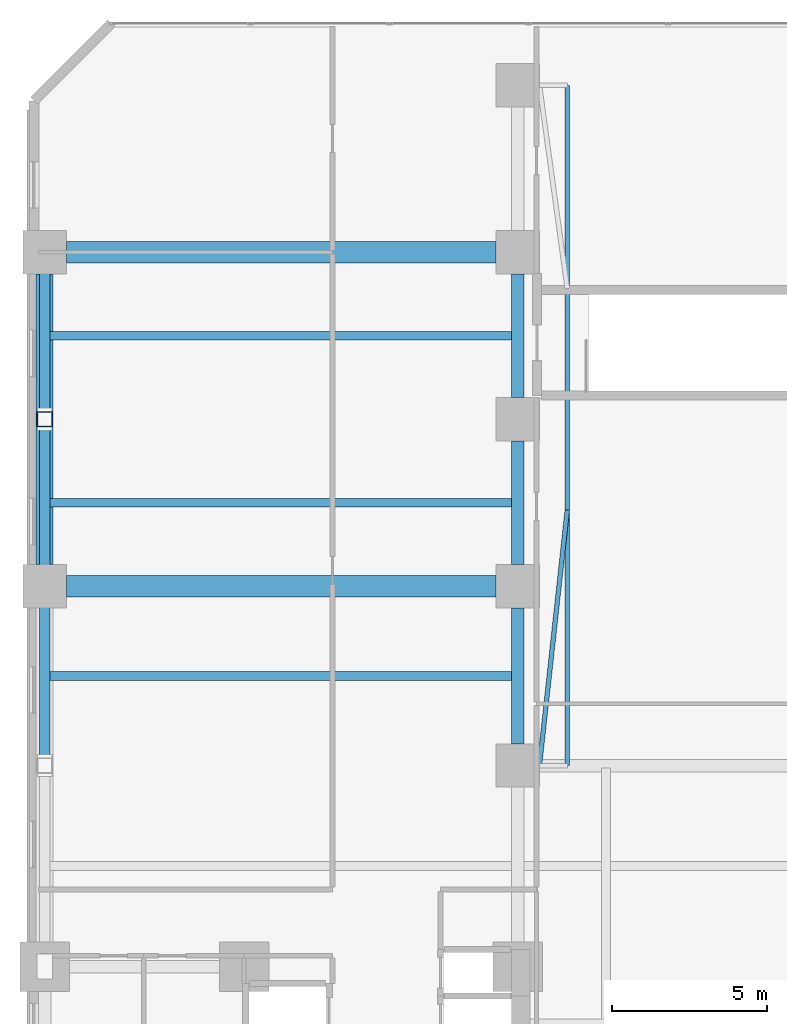
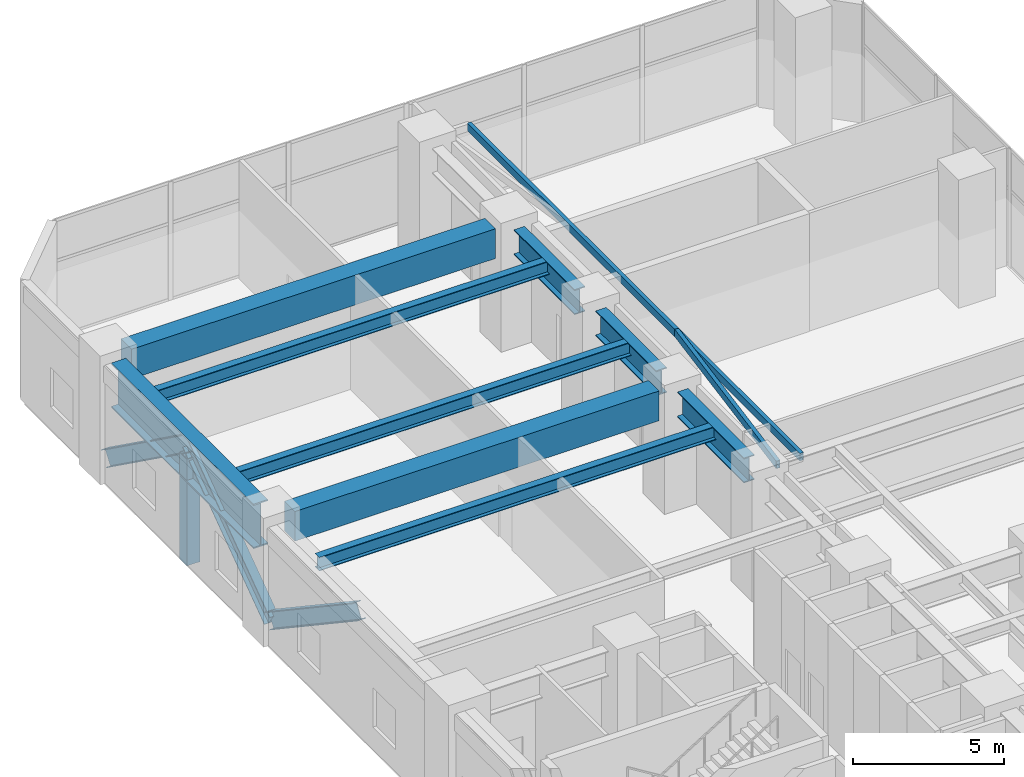
# One storey, part 12 of 29: 14 beams, 1 member.
"""IFC4 building model written with IfcOpenShell, lengths in metres."""

import ifcopenshell
import ifcopenshell.guid

model = None  # the IFC model being written
_history = None  # IfcOwnerHistory: only IFC2X3 demands one
_inside = {}  # id of a spatial element -> (the spatial element, [elements in it])
_under = {}  # id of a project, library or spatial element -> (it, [spatial elements below it])
_declared = {}  # id of a project -> (the project, [libraries it declares])
_typed = {}  # id of a type object -> (the type object, [elements of that type])
_made_of = {}  # id of a material, layer set ... -> (it, [elements and type objects made of it])


def new_model(schema):
    """Start an empty IFC model of exactly this schema.

    Asked for "IFC4X3", IfcOpenShell would pick the latest addendum, in which some entities
    have other attributes; the version numbers below select the first issue.
    IFC2X3 requires an IfcOwnerHistory on every rooted entity: one is made here for all.
    """
    global model, _history
    if schema == "IFC4X3":
        model = ifcopenshell.file(schema_version=(4, 3, 0, 0))
    else:
        model = ifcopenshell.file(schema=schema)
    _inside.clear()
    _under.clear()
    _declared.clear()
    _typed.clear()
    _made_of.clear()
    _history = None
    if model.schema == "IFC2X3":
        org = make("IfcOrganization", Name="unknown")
        user = make(
            "IfcPersonAndOrganization",
            ThePerson=make("IfcPerson", FamilyName="unknown"),
            TheOrganization=org,
        )
        app = make(
            "IfcApplication",
            ApplicationDeveloper=org,
            Version="unknown",
            ApplicationFullName="unknown",
            ApplicationIdentifier="unknown",
        )
        _history = make(
            "IfcOwnerHistory",
            OwningUser=user,
            OwningApplication=app,
            ChangeAction="ADDED",
            CreationDate=0,
        )
    return model


def make(cls, **values):
    """One entity of the class cls with the attributes given. An attribute that is None is left unset."""
    return model.create_entity(
        cls, **{name: value for name, value in values.items() if value is not None}
    )


def rooted(cls, **values):
    """An entity with a GlobalId (a new one), such as an element, a storey or a relation."""
    return make(cls, GlobalId=ifcopenshell.guid.new(), OwnerHistory=_history, **values)


def si_unit(unit_type, name, prefix=None):
    """IfcSIUnit, for example si_unit("LENGTHUNIT", "METRE", prefix="MILLI")."""
    return make("IfcSIUnit", UnitType=unit_type, Prefix=prefix, Name=name)


def assignment(units):
    """IfcUnitAssignment: the units of a project."""
    return None if units is None else make("IfcUnitAssignment", Units=units)


def point(xyz):
    """IfcCartesianPoint."""
    return None if xyz is None else make("IfcCartesianPoint", Coordinates=xyz)


def direction(xyz):
    """IfcDirection."""
    return None if xyz is None else make("IfcDirection", DirectionRatios=xyz)


def frame(location, z_axis=None, x_axis=None):
    """IfcAxis2Placement3D, a coordinate frame: its origin and axes. An axis left out is left unset."""
    return make(
        "IfcAxis2Placement3D",
        Location=point(location),
        Axis=direction(z_axis),
        RefDirection=direction(x_axis),
    )


def frame_2d(location, x_axis=None):
    """IfcAxis2Placement2D, a coordinate frame in the plane: its origin and x axis."""
    return make(
        "IfcAxis2Placement2D", Location=point(location), RefDirection=direction(x_axis)
    )


def origin():
    """The frame at (0, 0, 0) with its axes left unset."""
    return frame((0.0, 0.0, 0.0))


def origin_2d():
    """The frame at (0, 0) in the plane with its x axis left unset."""
    return frame_2d((0.0, 0.0))


def place(relative_to, where):
    """IfcLocalPlacement: puts the frame where relative to a parent placement (None: the world)."""
    return make(
        "IfcLocalPlacement", PlacementRelTo=relative_to, RelativePlacement=where
    )


def context(
    kind, dimensions, precision=None, world=None, true_north=None, identifier=None
):
    """IfcGeometricRepresentationContext, for example the 3D "Model" context."""
    return make(
        "IfcGeometricRepresentationContext",
        ContextIdentifier=identifier,
        ContextType=kind,
        CoordinateSpaceDimension=dimensions,
        Precision=precision,
        WorldCoordinateSystem=world,
        TrueNorth=true_north,
    )


def subcontext(parent, identifier, kind, view, scale=None):
    """IfcGeometricRepresentationSubContext, for example "Body" below "Model"."""
    return make(
        "IfcGeometricRepresentationSubContext",
        ContextIdentifier=identifier,
        ContextType=kind,
        ParentContext=parent,
        TargetScale=scale,
        TargetView=view,
    )


def project(units=None, contexts=None):
    """IfcProject with its units and contexts."""
    return rooted(
        "IfcProject",
        Name="project",
        RepresentationContexts=contexts,
        UnitsInContext=assignment(units),
    )


def spatial(cls, under=None, at=None, **own):
    """A site, building, storey or space (cls), placed at a placement, below another one or the project."""
    s = rooted(cls, ObjectPlacement=at, **own)
    if under is not None:
        _under.setdefault(under.id(), (under, []))[1].append(s)
    return s


def profile(cls, at=None, kind="AREA", **sizes):
    """A parametric profile (cls). Its sizes go by their IFC names, for example OverallWidth=200.0."""
    return make(cls, ProfileType=kind, Position=at, **sizes)


def rectangle(**sizes):
    """IfcRectangleProfileDef."""
    return profile("IfcRectangleProfileDef", **sizes)


def hollow_rectangle(**sizes):
    """IfcRectangleHollowProfileDef."""
    return profile("IfcRectangleHollowProfileDef", **sizes)


def i_section(**sizes):
    """IfcIShapeProfileDef."""
    return profile("IfcIShapeProfileDef", **sizes)


def extrude(swept, where, along, depth):
    """IfcExtrudedAreaSolid: the profile swept, set in the frame where, extruded along a direction by depth."""
    return make(
        "IfcExtrudedAreaSolid",
        SweptArea=swept,
        Position=where,
        ExtrudedDirection=direction(along),
        Depth=depth,
    )


def shape(context_of_items, identifier, shape_type, items):
    """IfcShapeRepresentation: the items that make up one representation, for example the "Body"."""
    return make(
        "IfcShapeRepresentation",
        ContextOfItems=context_of_items,
        RepresentationIdentifier=identifier,
        RepresentationType=shape_type,
        Items=items,
    )


def material(Name=None, Category=None):
    """IfcMaterial."""
    return make("IfcMaterial", Name=Name, Category=Category)


def material_profile(
    of_material, cross_section, Name=None, Category=None, Priority=None
):
    """IfcMaterialProfile: a cross section and its material."""
    return make(
        "IfcMaterialProfile",
        Name=Name,
        Material=of_material,
        Profile=cross_section,
        Priority=Priority,
        Category=Category,
    )


def profile_set(profiles, Name=None, composite=None):
    """IfcMaterialProfileSet."""
    return make(
        "IfcMaterialProfileSet",
        Name=Name,
        MaterialProfiles=profiles,
        CompositeProfile=composite,
    )


def made_of(thing, what):
    """Note that an element or type object is made of a material, layer set ...; save() writes the relation."""
    if what is not None:
        _made_of.setdefault(what.id(), (what, []))[1].append(thing)
    return thing


def type_object(cls, material=None, **own):
    """A type object (cls), such as IfcWallType, which elements share."""
    return made_of(rooted(cls, **own), material)


def element(
    cls,
    number,
    at=None,
    inside=None,
    cuts=None,
    type_object=None,
    material=None,
    context=None,
    identifier="Body",
    shape_type=None,
    held_by="IfcProductDefinitionShape",
    body=None,
    shapes=None,
    **own,
):
    """One element of the class cls, such as IfcWall. Its Tag is "e" and its number.

    at: its placement. inside: the storey or other place that contains it. cuts: it is an
    opening in that element (IfcRelVoidsElement). A single representation is given by context,
    identifier, shape_type and body (its items); several are given by shapes. held_by: the class
    of the entity that holds the representations. save() writes the other relations.
    """
    e = rooted(cls, Tag="e%d" % number, ObjectPlacement=at, **own)
    if body is not None:
        shapes = [shape(context, identifier, shape_type, body)]
    if shapes is not None:
        e.Representation = make(held_by, Representations=shapes)
    if inside is not None:
        _inside.setdefault(inside.id(), (inside, []))[1].append(e)
    if cuts is not None:
        rooted(
            "IfcRelVoidsElement", RelatingBuildingElement=cuts, RelatedOpeningElement=e
        )
    if type_object is not None:
        _typed.setdefault(type_object.id(), (type_object, []))[1].append(e)
    return made_of(e, material)


def aggregate(whole, parts):
    """IfcRelAggregates: a whole, such as a stair, and the parts it consists of."""
    return rooted("IfcRelAggregates", RelatingObject=whole, RelatedObjects=parts)


def save(model, path):
    """Write the relations noted so far, then the file.

    IfcRelAggregates (storeys below a building ...), IfcRelContainedInSpatialStructure (elements
    in a storey), IfcRelDefinesByType, IfcRelAssociatesMaterial and IfcRelDeclares: one each for
    every whole, place, type object, material and project.
    """
    for whole, parts in _under.values():
        aggregate(whole, parts)
    for where, things in _inside.values():
        rooted(
            "IfcRelContainedInSpatialStructure",
            RelatedElements=things,
            RelatingStructure=where,
        )
    for kind, things in _typed.values():
        rooted("IfcRelDefinesByType", RelatedObjects=things, RelatingType=kind)
    for what, things in _made_of.values():
        rooted("IfcRelAssociatesMaterial", RelatedObjects=things, RelatingMaterial=what)
    for by, libraries in _declared.values():
        rooted("IfcRelDeclares", RelatingContext=by, RelatedDefinitions=libraries)
    model.write(path)


model = new_model("IFC4")

# Units and contexts
model_context = context("Model", 3, precision=1e-05, world=origin(), true_north=direction((0.0, 1.0)))
body_context = subcontext(model_context, "Body", "Model", "MODEL_VIEW")
ifc_project = project(units=[si_unit("LENGTHUNIT", "METRE"), si_unit("AREAUNIT", "SQUARE_METRE"), si_unit("VOLUMEUNIT", "CUBIC_METRE"), si_unit("PLANEANGLEUNIT", "RADIAN"), si_unit("MASSUNIT", "GRAM", prefix="KILO")], contexts=[model_context])

# Site, building, storey
site_placement = place(None, origin())
site = spatial("IfcSite", under=ifc_project, at=site_placement, CompositionType="ELEMENT")
building_placement = place(site_placement, origin())
building = spatial("IfcBuilding", under=site, at=building_placement, Name="Mawjaban Terraces University", CompositionType="ELEMENT")
storey_placement = place(building_placement, frame((0.0, 0.0, 20.800048828125)))
storey = spatial("IfcBuildingStorey", under=building, at=storey_placement, Name="L04", CompositionType="ELEMENT", Elevation=20.800048828125)

# Beams
ifc_material_1 = material(Name="Steel EN 10210-1 S355J2H", Category="steel")
ifc_material_profile_1 = material_profile(ifc_material_1, hollow_rectangle(XDim=0.14990234375, YDim=0.300048828125, WallThickness=0.012451171875, at=origin_2d()), Name="RHS300X150X12.5")
ifc_profile_set_1 = profile_set([ifc_material_profile_1], Name="Steel EN 10210-1 S355J2H")
beam_type_1 = type_object("IfcBeamType", Name="BalconyCantileverSpandrel_RHS", PredefinedType="SPANDREL", material=ifc_profile_set_1)
beam_1_placement = place(storey_placement, frame((39.25, 30.0, 4.6298828125), z_axis=(0.0, 1.0, 0.0), x_axis=(-1.0, 0.0, 0.0)))
element("IfcBeam", 1, at=beam_1_placement, inside=storey, type_object=beam_type_1, Name="L04 Exterior Edge Spandrel BAL-L05-E", PredefinedType="SPANDREL", context=body_context, shape_type="SweptSolid", body=[
    extrude(hollow_rectangle(XDim=0.14990234375, YDim=0.300048828125, WallThickness=0.012451171875, at=origin_2d()), origin(), (0.0, 0.0, 1.0), 22.0),
])
beam_2_placement = place(storey_placement, frame((38.35009765625, 30.0, 4.6298828125), z_axis=(0.108176462067, 0.994131708102, 0.0), x_axis=(-0.994131708102, 0.108176462067, 0.0)))
element("IfcBeam", 2, at=beam_2_placement, inside=storey, type_object=beam_type_1, Name="L04 Exterior Diagonal Strut BAL-L05-E.1", PredefinedType="SPANDREL", context=body_context, shape_type="SweptSolid", body=[
    extrude(hollow_rectangle(XDim=0.14990234375, YDim=0.300048828125, WallThickness=0.012451171875, at=origin_2d()), origin(), (0.0, 0.0, 1.0), 8.31884765625),
])
ifc_material_2 = material(Name="Steel ASTM A913 Grade 65", Category="steel")
ifc_material_profile_2 = material_profile(ifc_material_2, i_section(OverallWidth=0.402099609375, OverallDepth=1.011962890625, WebThickness=0.02392578125, FlangeThickness=0.0400390625, at=origin_2d()), Name="W1000X443")
ifc_profile_set_2 = profile_set([ifc_material_profile_2], Name="Steel ASTM A913 Grade 65")
beam_type_2 = type_object("IfcBeamType", Name="Beam_B_W1000X443", PredefinedType="BEAM", material=ifc_profile_set_2)
beam_3_placement = place(storey_placement, frame((37.64990234375, 30.699951171875, 4.27392578125), z_axis=(0.0, 1.0, 0.0), x_axis=(-1.0, 0.0, 0.0)))
element("IfcBeam", 3, at=beam_3_placement, inside=storey, type_object=beam_type_2, Name="L04 Beam BM-L04-NS-09", PredefinedType="BEAM", context=body_context, shape_type="SweptSolid", body=[
    extrude(i_section(OverallWidth=0.402099609375, OverallDepth=1.011962890625, WebThickness=0.02392578125, FlangeThickness=0.0400390625, at=origin_2d()), origin(), (0.0, 0.0, 1.0), 4.400146484375),
])
for number, where, z_axis, x_axis, name in (
    (4, (37.64990234375, 36.5, 4.27392578125), (0.0, 1.0, 0.0), (-1.0, 0.0, 0.0), "L04 Beam BM-L04-NS-10"),
    (5, (37.64990234375, 41.89990234375, 4.27392578125), (0.0, 1.0, 0.0), (-1.0, 0.0, 0.0), "L04 Beam BM-L04-NS-11"),
):
    element("IfcBeam", number, at=place(storey_placement, frame(where, z_axis=z_axis, x_axis=x_axis)), inside=storey, type_object=beam_type_2, Name=name, PredefinedType="BEAM", context=body_context, shape_type="SweptSolid", body=[
        extrude(i_section(OverallWidth=0.402099609375, OverallDepth=1.011962890625, WebThickness=0.02392578125, FlangeThickness=0.0400390625, at=origin_2d()), origin(), (0.0, 0.0, 1.0), 4.0),
    ])
ifc_material_3 = material(Name="Steel ASTM A572 Grade 50", Category="steel")
ifc_material_profile_3 = material_profile(ifc_material_3, i_section(OverallWidth=0.281005859375, OverallDepth=0.551025390625, WebThickness=0.01513671875, FlangeThickness=0.02587890625, at=origin_2d()), Name="W530X182")
ifc_profile_set_3 = profile_set([ifc_material_profile_3], Name="Steel ASTM A572 Grade 50")
beam_type_3 = type_object("IfcBeamType", Name="Beam_J_W530X182", PredefinedType="JOIST", material=ifc_profile_set_3)
for number, where, z_axis, x_axis, name in (
    (6, (22.429931640625, 32.89990234375, 4.50390625), (1.0, 0.0, 0.0), (0.0, 1.0, 0.0), "L04 Composite Joist JST-L04-20"),
    (7, (22.429931640625, 38.5, 4.50390625), (1.0, 0.0, 0.0), (0.0, 1.0, 0.0), "L04 Composite Joist JST-L04-21"),
    (8, (22.429931640625, 43.89990234375, 4.50390625), (1.0, 0.0, 0.0), (0.0, 1.0, 0.0), "L04 Composite Joist JST-L04-22"),
):
    element("IfcBeam", number, at=place(storey_placement, frame(where, z_axis=z_axis, x_axis=x_axis)), inside=storey, type_object=beam_type_3, Name=name, PredefinedType="JOIST", context=body_context, shape_type="SweptSolid", body=[
        extrude(i_section(OverallWidth=0.281005859375, OverallDepth=0.551025390625, WebThickness=0.01513671875, FlangeThickness=0.02587890625, at=origin_2d()), origin(), (0.0, 0.0, 1.0), 15.14013671875),
    ])
ifc_material_profile_4 = material_profile(ifc_material_3, i_section(OverallWidth=0.550048828125, OverallDepth=1.800048828125, WebThickness=0.031982421875, FlangeThickness=0.054931640625, at=origin_2d()), Name="PG1800X550")
ifc_profile_set_4 = profile_set([ifc_material_profile_4], Name="Steel ASTM A572 Grade 50")
beam_type_4 = type_object("IfcBeamType", Name="Beam_TG_PG1800X550", PredefinedType="BEAM", material=ifc_profile_set_4)
beam_4_placement = place(storey_placement, frame((22.35009765625, 36.5, 3.8798828125), z_axis=(0.0, 1.0, 0.0), x_axis=(-1.0, 0.0, 0.0)))
element("IfcBeam", 9, at=beam_4_placement, inside=storey, type_object=beam_type_4, Name="L04 Beam BM-L04-NS-04", PredefinedType="BEAM", context=body_context, shape_type="SweptSolid", body=[
    extrude(i_section(OverallWidth=0.550048828125, OverallDepth=1.800048828125, WebThickness=0.031982421875, FlangeThickness=0.054931640625, at=origin_2d()), origin(), (0.0, 0.0, 1.0), 9.39990234375),
])
ifc_material_profile_5 = material_profile(ifc_material_2, i_section(OverallWidth=0.3291015625, OverallDepth=0.635009765625, WebThickness=0.017822265625, FlangeThickness=0.031005859375, at=origin_2d()), Name="W610X241")
ifc_profile_set_5 = profile_set([ifc_material_profile_5], Name="Steel ASTM A913 Grade 65")
beam_type_5 = type_object("IfcBeamType", Name="Beam_TTV_W610X241", PredefinedType="BEAM", material=ifc_profile_set_5)
beam_5_placement = place(storey_placement, frame((22.35009765625, 35.800048828125, 0.449951171875), z_axis=(0.0, -0.831177291906, 0.556007472449), x_axis=(1.0, 0.0, 0.0)))
element("IfcBeam", 10, at=beam_5_placement, inside=storey, type_object=beam_type_5, Name="L04 Exterior Portal Strut TP-W1-2", PredefinedType="BEAM", context=body_context, shape_type="SweptSolid", body=[
    extrude(i_section(OverallWidth=0.3291015625, OverallDepth=0.635009765625, WebThickness=0.017822265625, FlangeThickness=0.031005859375, at=origin_2d()), origin(), (0.0, 0.0, 1.0), 6.97802734375),
])
beam_6_placement = place(storey_placement, frame((22.35009765625, 35.800048828125, 0.449951171875), z_axis=(0.0, 0.812107803965, 0.58350742475), x_axis=(-1.0, 0.0, 0.0)))
element("IfcBeam", 11, at=beam_6_placement, inside=storey, type_object=beam_type_5, Name="L04 Exterior Portal Strut TP-W2-1", PredefinedType="BEAM", context=body_context, shape_type="SweptSolid", body=[
    extrude(i_section(OverallWidth=0.3291015625, OverallDepth=0.635009765625, WebThickness=0.017822265625, FlangeThickness=0.031005859375, at=origin_2d()), origin(), (0.0, 0.0, 1.0), 6.649169921875),
])
beam_7_placement = place(storey_placement, frame((22.35009765625, 46.60009765625, 0.449951171875), z_axis=(0.0, -0.812120304863, 0.58349002599), x_axis=(1.0, 0.0, 0.0)))
element("IfcBeam", 12, at=beam_7_placement, inside=storey, type_object=beam_type_5, Name="L04 Exterior Portal Strut TP-W2-2", PredefinedType="BEAM", context=body_context, shape_type="SweptSolid", body=[
    extrude(i_section(OverallWidth=0.3291015625, OverallDepth=0.635009765625, WebThickness=0.017822265625, FlangeThickness=0.031005859375, at=origin_2d()), origin(), (0.0, 0.0, 1.0), 6.6494140625),
])

# Member
ifc_material_profile_6 = material_profile(ifc_material_1, hollow_rectangle(XDim=0.5, YDim=0.5, WallThickness=0.02490234375, at=origin_2d()), Name="SHS500X500X25")
ifc_profile_set_6 = profile_set([ifc_material_profile_6], Name="Steel EN 10210-1 S355J2H")
member_type = type_object("IfcMemberType", Name="Mem_STRUT_SHS500X500X25", PredefinedType="STRUT", material=ifc_profile_set_6)
member_placement = place(storey_placement, frame((22.35009765625, 41.199951171875, -0.420166015625), z_axis=(0.0, 0.0, 1.0), x_axis=(1.0, 0.0, 0.0)))
element("IfcMember", 13, at=member_placement, inside=storey, type_object=member_type, Name="L04 Portal Vertical Strut TP-W2", PredefinedType="STRUT", context=body_context, shape_type="SweptSolid", body=[
    extrude(hollow_rectangle(XDim=0.5, YDim=0.5, WallThickness=0.02490234375, at=origin_2d()), origin(), (0.0, 0.0, 1.0), 4.300048828125),
])

# Beams
ifc_material_4 = material(Name="Concrete C50/60", Category="concrete")
ifc_material_profile_7 = material_profile(ifc_material_4, rectangle(XDim=0.699951171875, YDim=1.199951171875, at=origin_2d()), Name="RC1200X700")
ifc_profile_set_7 = profile_set([ifc_material_profile_7], Name="Concrete C50/60")
beam_type_6 = type_object("IfcBeamType", Name="PodiumLibraryTBeam_800", PredefinedType="T_BEAM", material=ifc_profile_set_7)
for number, where, z_axis, x_axis, name in (
    (14, (23.050048828125, 35.800048828125, 4.179931640625), (1.0, 0.0, 0.0), (0.0, 1.0, 0.0), "L04 Library Long-Span T-Beam 15"),
    (15, (23.050048828125, 46.60009765625, 4.179931640625), (1.0, 0.0, 0.0), (0.0, 1.0, 0.0), "L04 Library Long-Span T-Beam 16"),
):
    element("IfcBeam", number, at=place(storey_placement, frame(where, z_axis=z_axis, x_axis=x_axis)), inside=storey, type_object=beam_type_6, Name=name, PredefinedType="T_BEAM", context=body_context, shape_type="SweptSolid", body=[
        extrude(rectangle(XDim=0.699951171875, YDim=1.199951171875, at=origin_2d()), origin(), (0.0, 0.0, 1.0), 13.89990234375),
    ])

save(model, "model.ifc")
